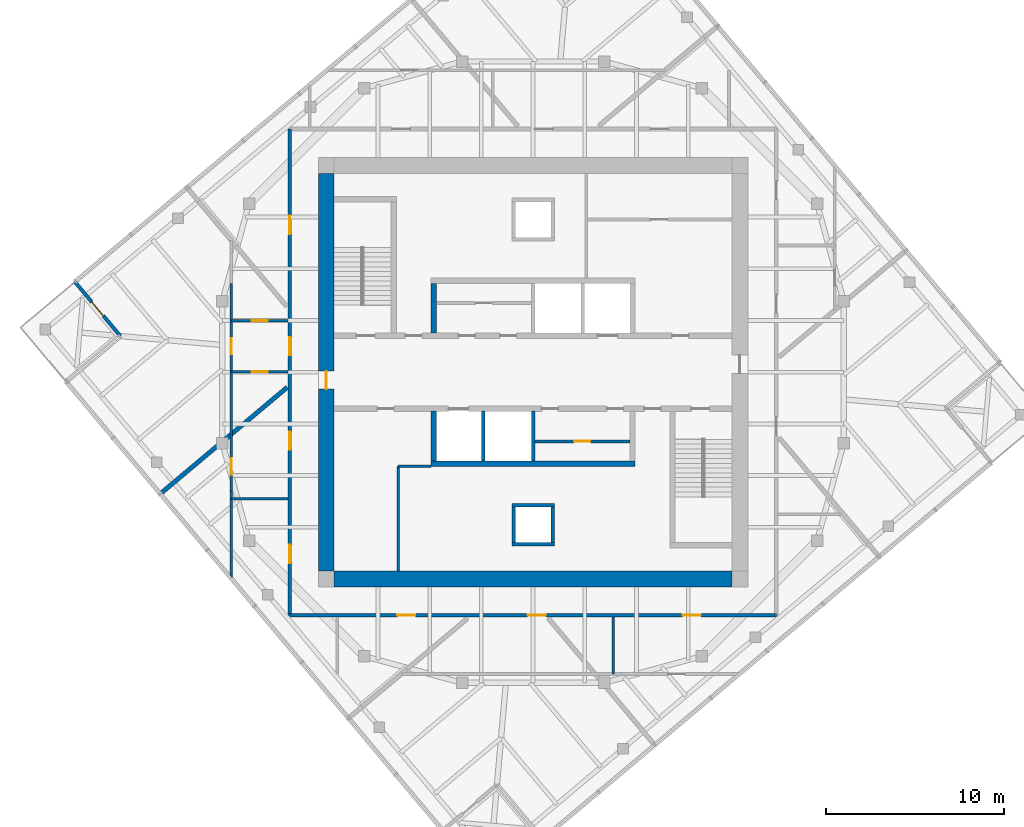
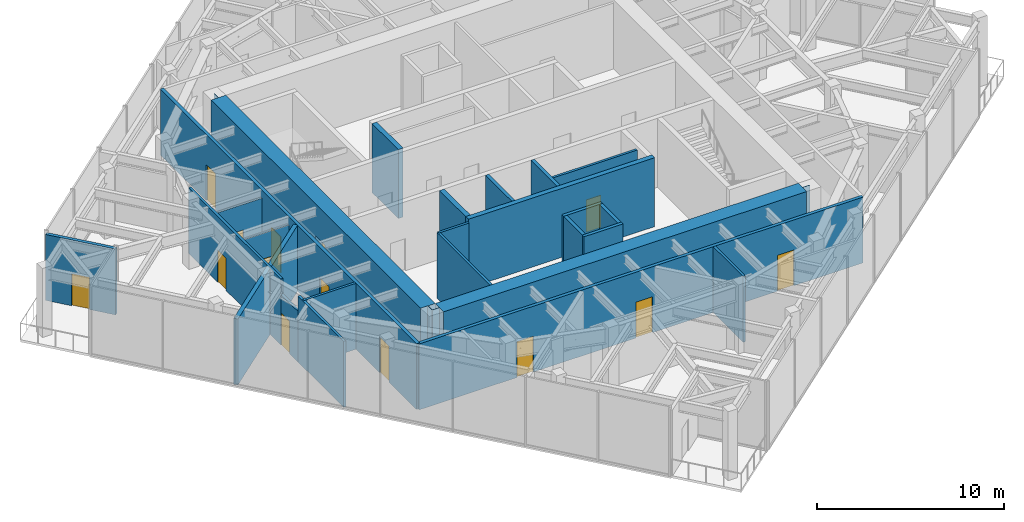
# One storey, part 8 of 11: 25 walls, 14 doors, 14 openings.
"""IFC4 building model written with IfcOpenShell, lengths in metres."""

from ifc_helpers import new_model, si_unit, direction, frame, frame_2d, origin, place, context, subcontext, project, spatial, polyline, rectangle, outline, extrude, material, layer, layer_set, type_object, element, fill, save


model = new_model("IFC4")

# Units and contexts
model_context = context("Model", 3, precision=1e-05, world=origin(), true_north=direction((0.0, 1.0)))
body_context = subcontext(model_context, "Body", "Model", "MODEL_VIEW")
ifc_project = project(units=[si_unit("LENGTHUNIT", "METRE"), si_unit("AREAUNIT", "SQUARE_METRE"), si_unit("VOLUMEUNIT", "CUBIC_METRE"), si_unit("PLANEANGLEUNIT", "RADIAN"), si_unit("MASSUNIT", "GRAM", prefix="KILO")], contexts=[model_context])

# Site, building, storey
site_placement = place(None, origin())
site = spatial("IfcSite", under=ifc_project, at=site_placement, CompositionType="ELEMENT")
building_placement = place(site_placement, origin())
building = spatial("IfcBuilding", under=site, at=building_placement, Name="Torsade Residences", CompositionType="ELEMENT")
storey_placement = place(building_placement, frame((0.0, 0.0, 299.800048828125)))
storey = spatial("IfcBuildingStorey", under=building, at=storey_placement, Name="L83", CompositionType="ELEMENT", Elevation=299.800048828125)

# Walls
ifc_material_1 = material(Name="Concrete 80 MPa", Category="concrete")
ifc_layer_1 = layer(ifc_material_1, 0.300048828125)
ifc_layer_set_1 = layer_set([ifc_layer_1], Name="Concrete 80 MPa")
wall_type_1 = type_object("IfcWallType", Name="CORE INTERNAL WALL 300", PredefinedType="SHEAR", material=ifc_layer_set_1)
wall_1_placement = place(storey_placement, frame((45.75, 24.85009765625, 0.0), z_axis=(0.0, 0.0, 1.0), x_axis=(-1.0, 0.0, 0.0)))
element("IfcWall", 1, at=wall_1_placement, inside=storey, type_object=wall_type_1, Name="Core wall BS L83", PredefinedType="SHEAR", context=body_context, shape_type="SweptSolid", body=[
    extrude(rectangle(XDim=11.5, YDim=0.300048828125, at=frame_2d((5.75, 0.0))), origin(), (0.0, 0.0, 1.0), 4.5),
])
for number, where, z_axis, x_axis, name in (
    (2, (34.39990234375, 32.199951171875, 0.0), (0.0, 0.0, 1.0), (0.0, 1.0, 0.0), "Core wall DN0 L83"),
    (3, (34.39990234375, 27.800048828125, 0.0), (0.0, 0.0, 1.0), (0.0, -1.0, 0.0), "Core wall DS4 L83"),
):
    element("IfcWall", number, at=place(storey_placement, frame(where, z_axis=z_axis, x_axis=x_axis)), inside=storey, type_object=wall_type_1, Name=name, PredefinedType="SHEAR", context=body_context, shape_type="SweptSolid", body=[
        extrude(rectangle(XDim=2.800048828125, YDim=0.300048828125, at=frame_2d((1.39990234375, 0.0))), origin(), (0.0, 0.0, 1.0), 4.5),
    ])
ifc_material_2 = material(Name="Concrete 80 MPa", Category="concrete")
ifc_layer_2 = layer(ifc_material_2, 0.89990234375)
ifc_layer_set_2 = layer_set([ifc_layer_2], Name="Concrete 80 MPa")
wall_type_2 = type_object("IfcWallType", Name="CORE WALL 900", PredefinedType="SHEAR", material=ifc_layer_set_2)
wall_2_placement = place(storey_placement, frame((51.199951171875, 18.35009765625, 0.0), z_axis=(0.0, 0.0, 1.0), x_axis=(-1.0, 0.0, 0.0)))
element("IfcWall", 4, at=wall_2_placement, inside=storey, type_object=wall_type_2, Name="Core wall S L83", PredefinedType="SHEAR", context=body_context, shape_type="SweptSolid", body=[
    extrude(outline(polyline([(0.0, -0.449951171875), (22.39990234375, -0.449951171875), (22.39990234375, -0.02490234375), (22.849853515625, -0.02490234375), (22.849853515625, 0.02490234375), (22.39990234375, 0.02490234375), (22.39990234375, 0.449951171875), (0.0, 0.449951171875), (0.0, 0.02490234375), (-0.449951171875, 0.02490234375), (-0.449951171875, -0.02490234375), (0.0, -0.02490234375), (0.0, -0.449951171875)])), origin(), (0.0, 0.0, 1.0), 4.5),
])

# Wall, opening, door
wall_3_placement = place(storey_placement, frame((28.35009765625, 41.199951171875, 0.0), z_axis=(0.0, 0.0, 1.0), x_axis=(0.0, -1.0, 0.0)))
wall_3 = element("IfcWall", 5, at=wall_3_placement, inside=storey, type_object=wall_type_2, Name="Core wall W L83", PredefinedType="SHEAR", context=body_context, shape_type="SweptSolid", body=[
    extrude(outline(polyline([(0.0, -0.449951171875), (22.39990234375, -0.449951171875), (22.39990234375, -0.02490234375), (22.849853515625, -0.02490234375), (22.849853515625, 0.02490234375), (22.39990234375, 0.02490234375), (22.39990234375, 0.449951171875), (0.0, 0.449951171875), (0.0, 0.02490234375), (-0.449951171875, 0.02490234375), (-0.449951171875, -0.02490234375), (0.0, -0.02490234375), (0.0, -0.449951171875)])), origin(), (0.0, 0.0, 1.0), 4.5),
])
opening_1_placement = place(wall_3_placement, frame((11.139892578125, 0.0, 0.0)))
opening_1 = element("IfcOpeningElement", 6, at=opening_1_placement, cuts=wall_3, Name="Opening D04", PredefinedType="OPENING", context=body_context, shape_type="SweptSolid", body=[
    extrude(rectangle(XDim=1.02001953125, YDim=2.39990234375, at=frame_2d((0.510009765625, 1.199951171875))), frame((0.0, 0.4599609375, 0.0), z_axis=(0.0, -1.0, 0.0), x_axis=(1.0, 0.0, 0.0)), (0.0, 0.0, 1.0), 0.919921875),
])
ifc_material_3 = material(Name="Steel-framed fire door", Category="steel")
door_type_1 = type_object("IfcDoorType", Name="LOBBY SMOKE DOOR 1020x2400", OperationType="NOTDEFINED", PredefinedType="DOOR", material=ifc_material_3)
door_1_placement = place(opening_1_placement, origin())
door_1 = element("IfcDoor", 7, at=door_1_placement, inside=storey, type_object=door_type_1, Name="Lift lobby door W L83", OperationType="SINGLE_SWING_RIGHT", OverallHeight=2.39990234375, OverallWidth=1.02001953125, PredefinedType="DOOR", context=body_context, shape_type="SweptSolid", body=[
    extrude(rectangle(XDim=1.02001953125, YDim=2.39990234375, at=frame_2d((0.510009765625, 1.199951171875))), frame((0.0, 0.02490234375, 0.0), z_axis=(0.0, -1.0, 0.0), x_axis=(1.0, 0.0, 0.0)), (0.0, 0.0, 1.0), 0.050048828125),
])
fill(opening_1, door_1)

# Wall, openings, doors
ifc_material_4 = material(Name="Plasterboard on steel stud", Category="steel")
ifc_layer_3 = layer(ifc_material_4, 0.199951171875)
ifc_layer_set_3 = layer_set([ifc_layer_3], Name="Plasterboard on steel stud")
wall_type_3 = type_object("IfcWallType", Name="CORRIDOR WALL 200", PredefinedType="PARTITIONING", material=ifc_layer_set_3)
wall_4_placement = place(storey_placement, frame((26.300048828125, 16.300048828125, 0.0), z_axis=(0.0, 0.0, 1.0), x_axis=(1.0, 0.0, 0.0)))
wall_4 = element("IfcWall", 8, at=wall_4_placement, inside=storey, type_object=wall_type_3, Name="Corridor wall L83", PredefinedType="PARTITIONING", context=body_context, shape_type="SweptSolid", body=[
    extrude(rectangle(XDim=27.39990234375, YDim=0.199951171875, at=frame_2d((13.699951171875, 0.0))), origin(), (0.0, 0.0, 1.0), 4.300048828125),
])
opening_2_placement = place(wall_4_placement, frame((22.1259765625, 0.0, 0.0)))
opening_2 = element("IfcOpeningElement", 9, at=opening_2_placement, cuts=wall_4, Name="Opening D01", PredefinedType="OPENING", context=body_context, shape_type="SweptSolid", body=[
    extrude(rectangle(XDim=1.02001953125, YDim=2.340087890625, at=frame_2d((0.510009765625, 1.169921875))), frame((0.0, 0.10986328125, 0.0), z_axis=(0.0, -1.0, 0.0), x_axis=(1.0, 0.0, 0.0)), (0.0, 0.0, 1.0), 0.219970703125),
])
opening_3_placement = place(wall_4_placement, frame((13.39501953125, 0.0, 0.0)))
opening_3 = element("IfcOpeningElement", 10, at=opening_3_placement, cuts=wall_4, Name="Opening D01", PredefinedType="OPENING", context=body_context, shape_type="SweptSolid", body=[
    extrude(rectangle(XDim=1.02001953125, YDim=2.340087890625, at=frame_2d((0.510009765625, 1.169921875))), frame((0.0, 0.10986328125, 0.0), z_axis=(0.0, -1.0, 0.0), x_axis=(1.0, 0.0, 0.0)), (0.0, 0.0, 1.0), 0.219970703125),
])
opening_4_placement = place(wall_4_placement, frame((6.053466796875, 0.0, 0.0)))
opening_4 = element("IfcOpeningElement", 11, at=opening_4_placement, cuts=wall_4, Name="Opening D01", PredefinedType="OPENING", context=body_context, shape_type="SweptSolid", body=[
    extrude(rectangle(XDim=1.02001953125, YDim=2.340087890625, at=frame_2d((0.510009765625, 1.169921875))), frame((0.0, 0.10986328125, 0.0), z_axis=(0.0, -1.0, 0.0), x_axis=(1.0, 0.0, 0.0)), (0.0, 0.0, 1.0), 0.219970703125),
])
ifc_material_5 = material(Name="Solid-core timber fire door", Category="wood")
door_type_2 = type_object("IfcDoorType", Name="APARTMENT ENTRY DOOR 1020x2340", OperationType="NOTDEFINED", PredefinedType="DOOR", material=ifc_material_5)
door_2_placement = place(opening_2_placement, origin())
door_2 = element("IfcDoor", 12, at=door_2_placement, inside=storey, type_object=door_type_2, Name="Door Plant corridor to Service lobby", OperationType="SINGLE_SWING_LEFT", OverallHeight=2.340087890625, OverallWidth=1.02001953125, PredefinedType="DOOR", context=body_context, shape_type="SweptSolid", body=[
    extrude(rectangle(XDim=1.02001953125, YDim=2.340087890625, at=frame_2d((0.510009765625, 1.169921875))), frame((0.0, 0.02490234375, 0.0), z_axis=(0.0, -1.0, 0.0), x_axis=(1.0, 0.0, 0.0)), (0.0, 0.0, 1.0), 0.050048828125),
])
fill(opening_2, door_2)
door_3_placement = place(opening_3_placement, origin())
door_3 = element("IfcDoor", 13, at=door_3_placement, inside=storey, type_object=door_type_2, Name="Door Plant corridor to Store", OperationType="SINGLE_SWING_LEFT", OverallHeight=2.340087890625, OverallWidth=1.02001953125, PredefinedType="DOOR", context=body_context, shape_type="SweptSolid", body=[
    extrude(rectangle(XDim=1.02001953125, YDim=2.340087890625, at=frame_2d((0.510009765625, 1.169921875))), frame((0.0, 0.02490234375, 0.0), z_axis=(0.0, -1.0, 0.0), x_axis=(1.0, 0.0, 0.0)), (0.0, 0.0, 1.0), 0.050048828125),
])
fill(opening_3, door_3)
door_4_placement = place(opening_4_placement, origin())
door_4 = element("IfcDoor", 14, at=door_4_placement, inside=storey, type_object=door_type_2, Name="Door Plant corridor to Plant cupboard", OperationType="SINGLE_SWING_LEFT", OverallHeight=2.340087890625, OverallWidth=1.02001953125, PredefinedType="DOOR", context=body_context, shape_type="SweptSolid", body=[
    extrude(rectangle(XDim=1.02001953125, YDim=2.340087890625, at=frame_2d((0.510009765625, 1.169921875))), frame((0.0, 0.02490234375, 0.0), z_axis=(0.0, -1.0, 0.0), x_axis=(1.0, 0.0, 0.0)), (0.0, 0.0, 1.0), 0.050048828125),
])
fill(opening_4, door_4)

wall_5_placement = place(storey_placement, frame((26.300048828125, 43.699951171875, 0.0), z_axis=(0.0, 0.0, 1.0), x_axis=(0.0, -1.0, 0.0)))
wall_5 = element("IfcWall", 15, at=wall_5_placement, inside=storey, type_object=wall_type_3, Name="Corridor wall L83", PredefinedType="PARTITIONING", context=body_context, shape_type="SweptSolid", body=[
    extrude(rectangle(XDim=27.39990234375, YDim=0.199951171875, at=frame_2d((13.699951171875, 0.0))), origin(), (0.0, 0.0, 1.0), 4.300048828125),
])
opening_5_placement = place(wall_5_placement, frame((4.89794921875, 0.0, 0.0)))
opening_5 = element("IfcOpeningElement", 16, at=opening_5_placement, cuts=wall_5, Name="Opening D01", PredefinedType="OPENING", context=body_context, shape_type="SweptSolid", body=[
    extrude(rectangle(XDim=1.02001953125, YDim=2.340087890625, at=frame_2d((0.510009765625, 1.169921875))), frame((0.0, 0.10986328125, 0.0), z_axis=(0.0, -1.0, 0.0), x_axis=(1.0, 0.0, 0.0)), (0.0, 0.0, 1.0), 0.219970703125),
])
opening_6_placement = place(wall_5_placement, frame((17.0419921875, 0.0, 0.0)))
opening_6 = element("IfcOpeningElement", 17, at=opening_6_placement, cuts=wall_5, Name="Opening D01", PredefinedType="OPENING", context=body_context, shape_type="SweptSolid", body=[
    extrude(rectangle(XDim=1.02001953125, YDim=2.340087890625, at=frame_2d((0.510009765625, 1.169921875))), frame((0.0, 0.10986328125, 0.0), z_axis=(0.0, -1.0, 0.0), x_axis=(1.0, 0.0, 0.0)), (0.0, 0.0, 1.0), 0.219970703125),
])
opening_7_placement = place(wall_5_placement, frame((23.43408203125, 0.0, 0.0)))
opening_7 = element("IfcOpeningElement", 18, at=opening_7_placement, cuts=wall_5, Name="Opening D01", PredefinedType="OPENING", context=body_context, shape_type="SweptSolid", body=[
    extrude(rectangle(XDim=1.02001953125, YDim=2.340087890625, at=frame_2d((0.510009765625, 1.169921875))), frame((0.0, 0.10986328125, 0.0), z_axis=(0.0, -1.0, 0.0), x_axis=(1.0, 0.0, 0.0)), (0.0, 0.0, 1.0), 0.219970703125),
])
opening_8_placement = place(wall_5_placement, frame((11.72705078125, 0.0, 0.0)))
opening_8 = element("IfcOpeningElement", 19, at=opening_8_placement, cuts=wall_5, Name="Opening D01", PredefinedType="OPENING", context=body_context, shape_type="SweptSolid", body=[
    extrude(rectangle(XDim=1.02001953125, YDim=2.340087890625, at=frame_2d((0.510009765625, 1.169921875))), frame((0.0, 0.10986328125, 0.0), z_axis=(0.0, -1.0, 0.0), x_axis=(1.0, 0.0, 0.0)), (0.0, 0.0, 1.0), 0.219970703125),
])
door_5_placement = place(opening_5_placement, origin())
door_5 = element("IfcDoor", 20, at=door_5_placement, inside=storey, type_object=door_type_2, Name="Door Plant corridor to Service lobby", OperationType="SINGLE_SWING_RIGHT", OverallHeight=2.340087890625, OverallWidth=1.02001953125, PredefinedType="DOOR", context=body_context, shape_type="SweptSolid", body=[
    extrude(rectangle(XDim=1.02001953125, YDim=2.340087890625, at=frame_2d((0.510009765625, 1.169921875))), frame((0.0, 0.02490234375, 0.0), z_axis=(0.0, -1.0, 0.0), x_axis=(1.0, 0.0, 0.0)), (0.0, 0.0, 1.0), 0.050048828125),
])
fill(opening_5, door_5)
door_6_placement = place(opening_6_placement, origin())
door_6 = element("IfcDoor", 21, at=door_6_placement, inside=storey, type_object=door_type_2, Name="Door Plant corridor to Store", OperationType="SINGLE_SWING_LEFT", OverallHeight=2.340087890625, OverallWidth=1.02001953125, PredefinedType="DOOR", context=body_context, shape_type="SweptSolid", body=[
    extrude(rectangle(XDim=1.02001953125, YDim=2.340087890625, at=frame_2d((0.510009765625, 1.169921875))), frame((0.0, 0.02490234375, 0.0), z_axis=(0.0, -1.0, 0.0), x_axis=(1.0, 0.0, 0.0)), (0.0, 0.0, 1.0), 0.050048828125),
])
fill(opening_6, door_6)
door_7_placement = place(opening_7_placement, origin())
door_7 = element("IfcDoor", 22, at=door_7_placement, inside=storey, type_object=door_type_2, Name="Door Plant corridor to Service lobby", OperationType="SINGLE_SWING_RIGHT", OverallHeight=2.340087890625, OverallWidth=1.02001953125, PredefinedType="DOOR", context=body_context, shape_type="SweptSolid", body=[
    extrude(rectangle(XDim=1.02001953125, YDim=2.340087890625, at=frame_2d((0.510009765625, 1.169921875))), frame((0.0, 0.02490234375, 0.0), z_axis=(0.0, -1.0, 0.0), x_axis=(1.0, 0.0, 0.0)), (0.0, 0.0, 1.0), 0.050048828125),
])
fill(opening_7, door_7)
door_8_placement = place(opening_8_placement, origin())
door_8 = element("IfcDoor", 23, at=door_8_placement, inside=storey, type_object=door_type_2, Name="Door Plant corridor to Service lobby", OperationType="SINGLE_SWING_LEFT", OverallHeight=2.340087890625, OverallWidth=1.02001953125, PredefinedType="DOOR", context=body_context, shape_type="SweptSolid", body=[
    extrude(rectangle(XDim=1.02001953125, YDim=2.340087890625, at=frame_2d((0.510009765625, 1.169921875))), frame((0.0, 0.02490234375, 0.0), z_axis=(0.0, -1.0, 0.0), x_axis=(1.0, 0.0, 0.0)), (0.0, 0.0, 1.0), 0.050048828125),
])
fill(opening_8, door_8)

# Walls
ifc_material_6 = material(Name="Reinforced blockwork", Category="masonry")
ifc_layer_4 = layer(ifc_material_6, 0.199951171875)
ifc_layer_set_4 = layer_set([ifc_layer_4], Name="Reinforced blockwork")
wall_type_4 = type_object("IfcWallType", Name="LIFT SHAFT DIVIDING WALL 200", PredefinedType="SOLIDWALL", material=ifc_layer_set_4)
for number, where, z_axis, x_axis, name in (
    (24, (40.0, 27.800048828125, 0.0), (0.0, 0.0, 1.0), (0.0, -1.0, 0.0), "Core wall DS2 L83"),
    (25, (37.199951171875, 27.800048828125, 0.0), (0.0, 0.0, 1.0), (0.0, -1.0, 0.0), "Core wall DS3 L83"),
):
    element("IfcWall", number, at=place(storey_placement, frame(where, z_axis=z_axis, x_axis=x_axis)), inside=storey, type_object=wall_type_4, Name=name, PredefinedType="SOLIDWALL", context=body_context, shape_type="SweptSolid", body=[
        extrude(rectangle(XDim=2.800048828125, YDim=0.199951171875, at=frame_2d((1.39990234375, 0.0))), origin(), (0.0, 0.0, 1.0), 4.5),
    ])
ifc_material_7 = material(Name="Masonry-lined stud party wall", Category="masonry")
ifc_layer_5 = layer(ifc_material_7, 0.25)
ifc_layer_set_5 = layer_set([ifc_layer_5], Name="Masonry-lined stud party wall")
wall_type_5 = type_object("IfcWallType", Name="PARTY WALL 250", PredefinedType="PARTITIONING", material=ifc_layer_set_5)
wall_6_placement = place(storey_placement, frame((18.9931640625, 23.142822265625, 0.0), z_axis=(0.0, 0.0, 1.0), x_axis=(0.766045019392, 0.64278692291, 0.0)))
element("IfcWall", 26, at=wall_6_placement, inside=storey, type_object=wall_type_5, Name="Party wall L83", PredefinedType="PARTITIONING", context=body_context, shape_type="SweptSolid", body=[
    extrude(rectangle(XDim=9.343017578125, YDim=0.25, at=frame_2d((4.67138671875, 0.0))), origin(), (0.0, 0.0, 1.0), 4.300048828125),
])

# Wall, opening, door
ifc_material_8 = material(Name="Stone-faced precast concrete 40 MPa panel", Category="masonry")
ifc_layer_6 = layer(ifc_material_8, 0.199951171875)
ifc_layer_set_6 = layer_set([ifc_layer_6], Name="Stone-faced precast concrete 40 MPa panel")
wall_type_6 = type_object("IfcWallType", Name="PLANT ROOM EXTERNAL WALL 200", PredefinedType="SOLIDWALL", material=ifc_layer_set_6)
wall_7_placement = place(storey_placement, frame((14.18310546875, 35.097900390625, 0.0), z_axis=(0.0, 0.0, 1.0), x_axis=(0.642768287094, -0.766060656284, 0.0)))
wall_7 = element("IfcWall", 27, at=wall_7_placement, inside=storey, type_object=wall_type_6, Name="Plant room wall L83 8", PredefinedType="SOLIDWALL", context=body_context, shape_type="SweptSolid", body=[
    extrude(rectangle(XDim=4.0, YDim=0.199951171875, at=frame_2d((2.0, 0.0))), origin(), (0.0, 0.0, 1.0), 4.300048828125),
])
opening_9_placement = place(wall_7_placement, frame((1.489990234375, 0.0, 0.0)))
opening_9 = element("IfcOpeningElement", 28, at=opening_9_placement, cuts=wall_7, Name="Opening D11", PredefinedType="OPENING", context=body_context, shape_type="SweptSolid", body=[
    extrude(rectangle(XDim=1.02001953125, YDim=2.10009765625, at=frame_2d((0.510009765625, 1.050048828125))), frame((0.0, 0.10986328125, 0.0), z_axis=(0.0, -1.0, 0.0), x_axis=(1.0, 0.0, 0.0)), (0.0, 0.0, 1.0), 0.219970703125),
])
ifc_material_9 = material(Name="Steel-framed external door", Category="steel")
door_type_3 = type_object("IfcDoorType", Name="MAINTENANCE ROOF DOOR 1020", OperationType="NOTDEFINED", PredefinedType="DOOR", material=ifc_material_9)
door_9_placement = place(opening_9_placement, origin())
door_9 = element("IfcDoor", 29, at=door_9_placement, inside=storey, type_object=door_type_3, Name="Terrace maintenance door L83 8", OperationType="SINGLE_SWING_RIGHT", OverallHeight=2.10009765625, OverallWidth=1.02001953125, PredefinedType="DOOR", context=body_context, shape_type="SweptSolid", body=[
    extrude(rectangle(XDim=1.02001953125, YDim=2.10009765625, at=frame_2d((0.510009765625, 1.050048828125))), frame((0.0, 0.02490234375, 0.0), z_axis=(0.0, -1.0, 0.0), x_axis=(1.0, 0.0, 0.0)), (0.0, 0.0, 1.0), 0.050048828125),
])
fill(opening_9, door_9)

# Walls
ifc_material_10 = material(Name="Reinforced blockwork", Category="masonry")
ifc_layer_7 = layer(ifc_material_10, 0.199951171875)
ifc_layer_set_7 = layer_set([ifc_layer_7], Name="Reinforced blockwork")
wall_type_7 = type_object("IfcWallType", Name="RISER SHAFT WALL 200", PredefinedType="SOLIDWALL", material=ifc_layer_set_7)
for number, where, z_axis, x_axis, name in (
    (30, (38.89990234375, 22.39990234375, 0.0), (0.0, 0.0, 1.0), (0.0, -1.0, 0.0), "Core wall RS2a L83"),
    (31, (41.10009765625, 22.39990234375, 0.0), (0.0, 0.0, 1.0), (0.0, -1.0, 0.0), "Core wall RS2b L83"),
):
    element("IfcWall", number, at=place(storey_placement, frame(where, z_axis=z_axis, x_axis=x_axis)), inside=storey, type_object=wall_type_7, Name=name, PredefinedType="SOLIDWALL", context=body_context, shape_type="SweptSolid", body=[
        extrude(rectangle(XDim=2.0, YDim=0.199951171875, at=frame_2d((1.0, 0.0))), origin(), (0.0, 0.0, 1.0), 4.5),
    ])
for number, where, z_axis, x_axis, name in (
    (32, (38.800048828125, 22.5, 0.0), (0.0, 0.0, 1.0), (1.0, 0.0, 0.0), "Core wall RS2c L83"),
    (33, (38.800048828125, 20.300048828125, 0.0), (0.0, 0.0, 1.0), (1.0, 0.0, 0.0), "Core wall RS2d L83"),
):
    element("IfcWall", number, at=place(storey_placement, frame(where, z_axis=z_axis, x_axis=x_axis)), inside=storey, type_object=wall_type_7, Name=name, PredefinedType="SOLIDWALL", context=body_context, shape_type="SweptSolid", body=[
        extrude(rectangle(XDim=2.39990234375, YDim=0.199951171875, at=frame_2d((1.199951171875, 0.0))), origin(), (0.0, 0.0, 1.0), 4.5),
    ])
ifc_material_11 = material(Name="Reinforced blockwork", Category="masonry")
ifc_layer_8 = layer(ifc_material_11, 0.14990234375)
ifc_layer_set_8 = layer_set([ifc_layer_8], Name="Reinforced blockwork")
wall_type_8 = type_object("IfcWallType", Name="SERVICE ROOM WALL 150", PredefinedType="SOLIDWALL", material=ifc_layer_set_8)
wall_8_placement = place(storey_placement, frame((32.39990234375, 18.800048828125, 0.0), z_axis=(0.0, 0.0, 1.0), x_axis=(0.0, 1.0, 0.0)))
element("IfcWall", 34, at=wall_8_placement, inside=storey, type_object=wall_type_8, Name="Service room wall L83", PredefinedType="SOLIDWALL", context=body_context, shape_type="SweptSolid", body=[
    extrude(rectangle(XDim=5.89990234375, YDim=0.14990234375, at=frame_2d((2.949951171875, 0.0))), origin(), (0.0, 0.0, 1.0), 4.300048828125),
])
wall_9_placement = place(storey_placement, frame((32.39990234375, 24.699951171875, 0.0), z_axis=(0.0, 0.0, 1.0), x_axis=(1.0, 0.0, 0.0)))
element("IfcWall", 35, at=wall_9_placement, inside=storey, type_object=wall_type_8, Name="Service room wall L83", PredefinedType="SOLIDWALL", context=body_context, shape_type="SweptSolid", body=[
    extrude(rectangle(XDim=1.85009765625, YDim=0.14990234375, at=frame_2d((0.925048828125, 0.0))), origin(), (0.0, 0.0, 1.0), 4.300048828125),
])
wall_10_placement = place(storey_placement, frame((23.0, 22.86181640625, 0.0), z_axis=(0.0, 0.0, 1.0), x_axis=(1.0, 0.0, 0.0)))
element("IfcWall", 36, at=wall_10_placement, inside=storey, type_object=wall_type_8, Name="Service room wall L83", PredefinedType="SOLIDWALL", context=body_context, shape_type="SweptSolid", body=[
    extrude(rectangle(XDim=3.199951171875, YDim=0.14990234375, at=frame_2d((1.60009765625, 0.0))), origin(), (0.0, 0.0, 1.0), 4.300048828125),
])
wall_11_placement = place(storey_placement, frame((23.0, 18.4296875, 0.0), z_axis=(0.0, 0.0, 1.0), x_axis=(0.0, 1.0, 0.0)))
element("IfcWall", 37, at=wall_11_placement, inside=storey, type_object=wall_type_8, Name="Service room wall L83", PredefinedType="SOLIDWALL", context=body_context, shape_type="SweptSolid", body=[
    extrude(rectangle(XDim=4.891845703125, YDim=0.14990234375, at=frame_2d((2.44580078125, 0.0))), origin(), (0.0, 0.0, 1.0), 4.300048828125),
])

# Wall, opening, door
wall_12_placement = place(storey_placement, frame((23.0, 23.321533203125, 0.0), z_axis=(0.0, 0.0, 1.0), x_axis=(0.0, 1.0, 0.0)))
wall_12 = element("IfcWall", 38, at=wall_12_placement, inside=storey, type_object=wall_type_8, Name="Service room wall L83", PredefinedType="SOLIDWALL", context=body_context, shape_type="SweptSolid", body=[
    extrude(rectangle(XDim=1.82177734375, YDim=0.14990234375, at=frame_2d((0.910888671875, 0.0))), origin(), (0.0, 0.0, 1.0), 3.300048828125),
])
opening_10_placement = place(wall_12_placement, frame((0.90185546875, 0.0, 0.0)))
opening_10 = element("IfcOpeningElement", 39, at=opening_10_placement, cuts=wall_12, Name="Opening D06", PredefinedType="OPENING", context=body_context, shape_type="SweptSolid", body=[
    extrude(rectangle(XDim=0.919921875, YDim=2.10009765625, at=frame_2d((0.4599609375, 1.050048828125))), frame((0.0, 0.0849609375, 0.0), z_axis=(0.0, -1.0, 0.0), x_axis=(1.0, 0.0, 0.0)), (0.0, 0.0, 1.0), 0.169921875),
])
ifc_material_12 = material(Name="Steel-framed fire door", Category="steel")
door_type_4 = type_object("IfcDoorType", Name="FIRE DOOR 920", OperationType="NOTDEFINED", PredefinedType="DOOR", material=ifc_material_12)
door_10_placement = place(opening_10_placement, origin())
door_10 = element("IfcDoor", 40, at=door_10_placement, inside=storey, type_object=door_type_4, Name="Door Store to Domestic water tank room", OperationType="SINGLE_SWING_RIGHT", OverallHeight=2.10009765625, OverallWidth=0.919921875, PredefinedType="DOOR", context=body_context, shape_type="SweptSolid", body=[
    extrude(rectangle(XDim=0.919921875, YDim=2.10009765625, at=frame_2d((0.4599609375, 1.050048828125))), frame((0.0, 0.02490234375, 0.0), z_axis=(0.0, -1.0, 0.0), x_axis=(1.0, 0.0, 0.0)), (0.0, 0.0, 1.0), 0.050048828125),
])
fill(opening_10, door_10)

wall_13_placement = place(storey_placement, frame((23.0, 25.143310546875, 0.0), z_axis=(0.0, 0.0, 1.0), x_axis=(0.0, 1.0, 0.0)))
wall_13 = element("IfcWall", 41, at=wall_13_placement, inside=storey, type_object=wall_type_8, Name="Service room wall L83", PredefinedType="SOLIDWALL", context=body_context, shape_type="SweptSolid", body=[
    extrude(rectangle(XDim=9.844970703125, YDim=0.14990234375, at=frame_2d((4.92236328125, 0.0))), origin(), (0.0, 0.0, 1.0), 4.300048828125),
])
opening_11_placement = place(wall_13_placement, frame((5.859619140625, 0.0, 0.0)))
opening_11 = element("IfcOpeningElement", 42, at=opening_11_placement, cuts=wall_13, Name="Opening D06", PredefinedType="OPENING", context=body_context, shape_type="SweptSolid", body=[
    extrude(rectangle(XDim=0.919921875, YDim=2.10009765625, at=frame_2d((0.4599609375, 1.050048828125))), frame((0.0, 0.0849609375, 0.0), z_axis=(0.0, -1.0, 0.0), x_axis=(1.0, 0.0, 0.0)), (0.0, 0.0, 1.0), 0.169921875),
])
door_11_placement = place(opening_11_placement, origin())
door_11 = element("IfcDoor", 43, at=door_11_placement, inside=storey, type_object=door_type_4, Name="Door Service lobby to Domestic water tank room", OperationType="SINGLE_SWING_RIGHT", OverallHeight=2.10009765625, OverallWidth=0.919921875, PredefinedType="DOOR", context=body_context, shape_type="SweptSolid", body=[
    extrude(rectangle(XDim=0.919921875, YDim=2.10009765625, at=frame_2d((0.4599609375, 1.050048828125))), frame((0.0, 0.02490234375, 0.0), z_axis=(0.0, -1.0, 0.0), x_axis=(1.0, 0.0, 0.0)), (0.0, 0.0, 1.0), 0.050048828125),
])
fill(opening_11, door_11)

# Wall
wall_14_placement = place(storey_placement, frame((44.52197265625, 13.0, 0.0), z_axis=(0.0, 0.0, 1.0), x_axis=(0.0, 1.0, 0.0)))
element("IfcWall", 44, at=wall_14_placement, inside=storey, type_object=wall_type_8, Name="Service room wall L83", PredefinedType="SOLIDWALL", context=body_context, shape_type="SweptSolid", body=[
    extrude(rectangle(XDim=3.199951171875, YDim=0.14990234375, at=frame_2d((1.60009765625, 0.0))), origin(), (0.0, 0.0, 1.0), 4.300048828125),
])

# Wall, opening, door
wall_15_placement = place(storey_placement, frame((26.199951171875, 30.02880859375, 0.0), z_axis=(0.0, 0.0, 1.0), x_axis=(-1.0, 0.0, 0.0)))
wall_15 = element("IfcWall", 45, at=wall_15_placement, inside=storey, type_object=wall_type_8, Name="Service room wall L83", PredefinedType="SOLIDWALL", context=body_context, shape_type="SweptSolid", body=[
    extrude(rectangle(XDim=3.199951171875, YDim=0.14990234375, at=frame_2d((1.60009765625, 0.0))), origin(), (0.0, 0.0, 1.0), 3.77197265625),
])
opening_12_placement = place(wall_15_placement, frame((1.139892578125, 0.0, 0.0)))
opening_12 = element("IfcOpeningElement", 46, at=opening_12_placement, cuts=wall_15, Name="Opening D06", PredefinedType="OPENING", context=body_context, shape_type="SweptSolid", body=[
    extrude(rectangle(XDim=0.919921875, YDim=2.10009765625, at=frame_2d((0.4599609375, 1.050048828125))), frame((0.0, 0.0849609375, 0.0), z_axis=(0.0, -1.0, 0.0), x_axis=(1.0, 0.0, 0.0)), (0.0, 0.0, 1.0), 0.169921875),
])
door_12_placement = place(opening_12_placement, origin())
door_12 = element("IfcDoor", 47, at=door_12_placement, inside=storey, type_object=door_type_4, Name="Door Service lobby to Plant cupboard", OperationType="SINGLE_SWING_RIGHT", OverallHeight=2.10009765625, OverallWidth=0.919921875, PredefinedType="DOOR", context=body_context, shape_type="SweptSolid", body=[
    extrude(rectangle(XDim=0.919921875, YDim=2.10009765625, at=frame_2d((0.4599609375, 1.050048828125))), frame((0.0, 0.02490234375, 0.0), z_axis=(0.0, -1.0, 0.0), x_axis=(1.0, 0.0, 0.0)), (0.0, 0.0, 1.0), 0.050048828125),
])
fill(opening_12, door_12)

wall_16_placement = place(storey_placement, frame((23.0, 32.897216796875, 0.0), z_axis=(0.0, 0.0, 1.0), x_axis=(1.0, 0.0, 0.0)))
wall_16 = element("IfcWall", 48, at=wall_16_placement, inside=storey, type_object=wall_type_8, Name="Service room wall L83", PredefinedType="SOLIDWALL", context=body_context, shape_type="SweptSolid", body=[
    extrude(rectangle(XDim=3.199951171875, YDim=0.14990234375, at=frame_2d((1.60009765625, 0.0))), origin(), (0.0, 0.0, 1.0), 3.77197265625),
])
opening_13_placement = place(wall_16_placement, frame((1.139892578125, 0.0, 0.0)))
opening_13 = element("IfcOpeningElement", 49, at=opening_13_placement, cuts=wall_16, Name="Opening D06", PredefinedType="OPENING", context=body_context, shape_type="SweptSolid", body=[
    extrude(rectangle(XDim=0.919921875, YDim=2.10009765625, at=frame_2d((0.4599609375, 1.050048828125))), frame((0.0, 0.0849609375, 0.0), z_axis=(0.0, -1.0, 0.0), x_axis=(1.0, 0.0, 0.0)), (0.0, 0.0, 1.0), 0.169921875),
])
door_13_placement = place(opening_13_placement, origin())
door_13 = element("IfcDoor", 50, at=door_13_placement, inside=storey, type_object=door_type_4, Name="Door Service lobby to Store", OperationType="SINGLE_SWING_LEFT", OverallHeight=2.10009765625, OverallWidth=0.919921875, PredefinedType="DOOR", context=body_context, shape_type="SweptSolid", body=[
    extrude(rectangle(XDim=0.919921875, YDim=2.10009765625, at=frame_2d((0.4599609375, 1.050048828125))), frame((0.0, 0.02490234375, 0.0), z_axis=(0.0, -1.0, 0.0), x_axis=(1.0, 0.0, 0.0)), (0.0, 0.0, 1.0), 0.050048828125),
])
fill(opening_13, door_13)

wall_17_placement = place(storey_placement, frame((40.10009765625, 26.10009765625, 0.0), z_axis=(0.0, 0.0, 1.0), x_axis=(1.0, 0.0, 0.0)))
wall_17 = element("IfcWall", 51, at=wall_17_placement, inside=storey, type_object=wall_type_8, Name="Service room wall L83", PredefinedType="SOLIDWALL", context=body_context, shape_type="SweptSolid", body=[
    extrude(rectangle(XDim=5.349853515625, YDim=0.14990234375, at=frame_2d((2.6748046875, 0.0))), origin(), (0.0, 0.0, 1.0), 4.300048828125),
])
opening_14_placement = place(wall_17_placement, frame((2.215087890625, 0.0, 0.0)))
opening_14 = element("IfcOpeningElement", 52, at=opening_14_placement, cuts=wall_17, Name="Opening D06", PredefinedType="OPENING", context=body_context, shape_type="SweptSolid", body=[
    extrude(rectangle(XDim=0.919921875, YDim=2.10009765625, at=frame_2d((0.4599609375, 1.050048828125))), frame((0.0, 0.0849609375, 0.0), z_axis=(0.0, -1.0, 0.0), x_axis=(1.0, 0.0, 0.0)), (0.0, 0.0, 1.0), 0.169921875),
])
door_14_placement = place(opening_14_placement, origin())
door_14 = element("IfcDoor", 53, at=door_14_placement, inside=storey, type_object=door_type_4, Name="Door Maintenance workshop L83C to Equipment store L83D", OperationType="SINGLE_SWING_LEFT", OverallHeight=2.10009765625, OverallWidth=0.919921875, PredefinedType="DOOR", context=body_context, shape_type="SweptSolid", body=[
    extrude(rectangle(XDim=0.919921875, YDim=2.10009765625, at=frame_2d((0.4599609375, 1.050048828125))), frame((0.0, 0.02490234375, 0.0), z_axis=(0.0, -1.0, 0.0), x_axis=(1.0, 0.0, 0.0)), (0.0, 0.0, 1.0), 0.050048828125),
])
fill(opening_14, door_14)

save(model, "model.ifc")
